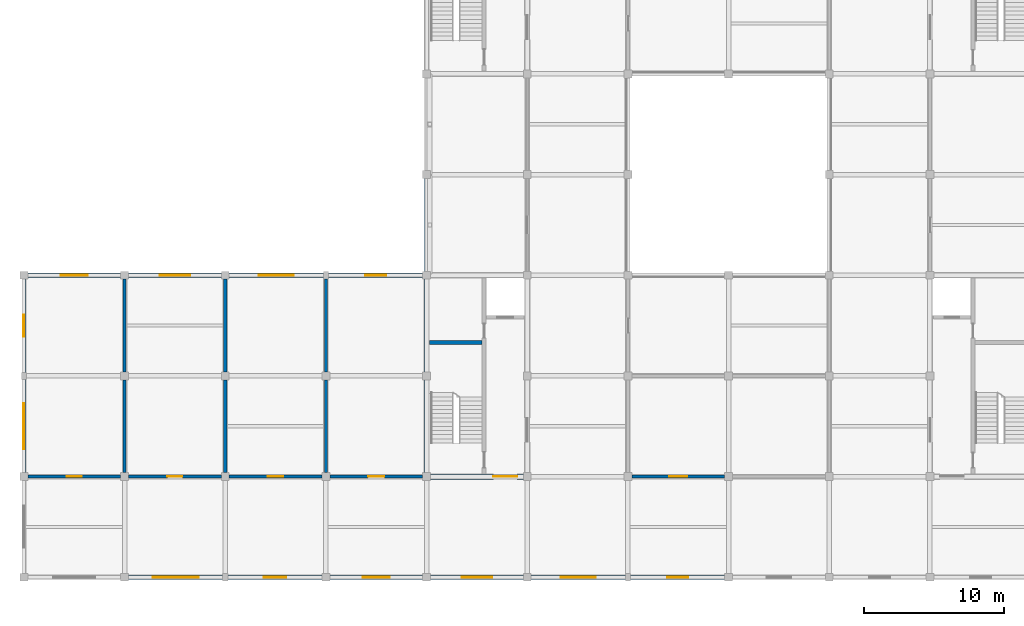
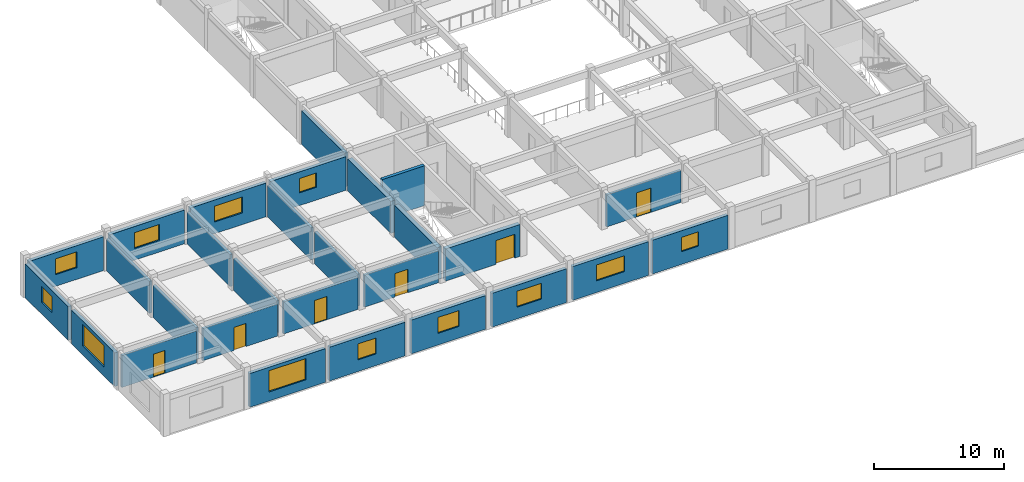
# One storey, part 4 of 8: 28 walls, 12 windows, 6 doors, 18 openings.
"""IFC4 building model written with IfcOpenShell, lengths in metres."""

from ifc_helpers import new_model, si_unit, direction, frame, frame_2d, origin, place, context, subcontext, project, spatial, rectangle, extrude, material, layer, layer_set, type_object, element, fill, save


model = new_model("IFC4")

# Units and contexts
model_context = context("Model", 3, precision=1e-05, world=origin(), true_north=direction((0.0, 1.0)))
body_context = subcontext(model_context, "Body", "Model", "MODEL_VIEW")
ifc_project = project(units=[si_unit("LENGTHUNIT", "METRE"), si_unit("AREAUNIT", "SQUARE_METRE"), si_unit("VOLUMEUNIT", "CUBIC_METRE"), si_unit("PLANEANGLEUNIT", "RADIAN"), si_unit("MASSUNIT", "GRAM", prefix="KILO")], contexts=[model_context])

# Site, building, storey
site_placement = place(None, origin())
site = spatial("IfcSite", under=ifc_project, at=site_placement, CompositionType="ELEMENT")
building_placement = place(site_placement, origin())
building = spatial("IfcBuilding", under=site, at=building_placement, Name="Cendaluz Park School", CompositionType="ELEMENT")
storey_placement = place(building_placement, frame((0.0, 0.0, 42.800048828125)))
storey = spatial("IfcBuildingStorey", under=building, at=storey_placement, Name="L10", CompositionType="ELEMENT", Elevation=42.800048828125)

# Wall, opening, door
ifc_material_1 = material(Name="Gypsum Plasterboard on Cold-Formed Stud", Category="gypsum")
ifc_layer_1 = layer(ifc_material_1, 0.199951171875)
ifc_layer_set_1 = layer_set([ifc_layer_1], Name="Gypsum Plasterboard on Cold-Formed Stud")
wall_type_1 = type_object("IfcWallType", Name="W-AC20", PredefinedType="PARTITIONING", material=ifc_layer_set_1)
wall_1_placement = place(storey_placement, frame((57.8798828125, 14.39990234375, 0.0), z_axis=(0.0, 0.0, 1.0), x_axis=(1.0, 0.0, 0.0)))
wall_1 = element("IfcWall", 1, at=wall_1_placement, inside=storey, type_object=wall_type_1, Name="WL-FK-BN2", PredefinedType="PARTITIONING", context=body_context, shape_type="SweptSolid", body=[
    extrude(rectangle(XDim=6.64013671875, YDim=0.199951171875, at=frame_2d((3.320068359375, 0.0))), origin(), (0.0, 0.0, 1.0), 3.02001953125),
])
opening_1_placement = place(wall_1_placement, frame((2.739990234375, 0.0, 0.0)))
opening_1 = element("IfcOpeningElement", 2, at=opening_1_placement, cuts=wall_1, Name="Opening DCL-07", PredefinedType="OPENING", context=body_context, shape_type="SweptSolid", body=[
    extrude(rectangle(XDim=1.159912109375, YDim=2.219970703125, at=frame_2d((0.580078125, 1.10986328125))), frame((0.0, 0.112060546875, 0.0), z_axis=(0.0, -1.0, 0.0), x_axis=(1.0, 0.0, 0.0)), (0.0, 0.0, 1.0), 0.223876953125),
])
ifc_material_2 = material(Name="Solid Core Hardwood", Category="wood")
door_type_1 = type_object("IfcDoorType", Name="DCL-07", OperationType="NOTDEFINED", PredefinedType="DOOR", material=ifc_material_2)
door_1_placement = place(opening_1_placement, origin())
door_1 = element("IfcDoor", 3, at=door_1_placement, inside=storey, type_object=door_type_1, Name="D-L10-024", OperationType="SINGLE_SWING_RIGHT", OverallHeight=2.219970703125, OverallWidth=1.159912109375, PredefinedType="DOOR", context=body_context, shape_type="SweptSolid", body=[
    extrude(rectangle(XDim=1.159912109375, YDim=2.219970703125, at=frame_2d((0.580078125, 1.10986328125))), frame((0.0, 0.02490234375, 0.0), z_axis=(0.0, -1.0, 0.0), x_axis=(1.0, 0.0, 0.0)), (0.0, 0.0, 1.0), 0.050048828125),
])
fill(opening_1, door_1)

wall_2_placement = place(storey_placement, frame((79.47998046875, 14.39990234375, 0.0), z_axis=(0.0, 0.0, 1.0), x_axis=(1.0, 0.0, 0.0)))
wall_2 = element("IfcWall", 4, at=wall_2_placement, inside=storey, type_object=wall_type_1, Name="WL-FK-BN6", PredefinedType="PARTITIONING", context=body_context, shape_type="SweptSolid", body=[
    extrude(rectangle(XDim=6.64013671875, YDim=0.199951171875, at=frame_2d((3.320068359375, 0.0))), origin(), (0.0, 0.0, 1.0), 3.02001953125),
])
opening_2_placement = place(wall_2_placement, frame((2.679931640625, 0.0, 0.0)))
opening_2 = element("IfcOpeningElement", 5, at=opening_2_placement, cuts=wall_2, Name="Opening DCL-10", PredefinedType="OPENING", context=body_context, shape_type="SweptSolid", body=[
    extrude(rectangle(XDim=1.280029296875, YDim=2.280029296875, at=frame_2d((0.64013671875, 1.14013671875))), frame((0.0, 0.112060546875, 0.0), z_axis=(0.0, -1.0, 0.0), x_axis=(1.0, 0.0, 0.0)), (0.0, 0.0, 1.0), 0.223876953125),
])
door_type_2 = type_object("IfcDoorType", Name="DCL-10", OperationType="NOTDEFINED", PredefinedType="DOOR", material=ifc_material_2)
door_2_placement = place(opening_2_placement, origin())
door_2 = element("IfcDoor", 6, at=door_2_placement, inside=storey, type_object=door_type_2, Name="D-L10-027", OperationType="SINGLE_SWING_LEFT", OverallHeight=2.280029296875, OverallWidth=1.280029296875, PredefinedType="DOOR", context=body_context, shape_type="SweptSolid", body=[
    extrude(rectangle(XDim=1.280029296875, YDim=2.280029296875, at=frame_2d((0.64013671875, 1.14013671875))), frame((0.0, 0.02490234375, 0.0), z_axis=(0.0, -1.0, 0.0), x_axis=(1.0, 0.0, 0.0)), (0.0, 0.0, 1.0), 0.050048828125),
])
fill(opening_2, door_2)

# Wall, opening, window
ifc_material_3 = material(Name="Cross-laminated timber CLT C24", Category="wood")
ifc_layer_2 = layer(ifc_material_3, 0.300048828125)
ifc_layer_set_2 = layer_set([ifc_layer_2], Name="Cross-laminated timber CLT C24")
wall_type_2 = type_object("IfcWallType", Name="W-EX30", PredefinedType="SOLIDWALL", material=ifc_layer_set_2)
wall_3_placement = place(storey_placement, frame((36.0, 14.679931640625, 0.0), z_axis=(0.0, 0.0, 1.0), x_axis=(0.0, 1.0, 0.0)))
wall_3 = element("IfcWall", 7, at=wall_3_placement, inside=storey, type_object=wall_type_2, Name="WL-FK-AA2", PredefinedType="SOLIDWALL", context=body_context, shape_type="SweptSolid", body=[
    extrude(rectangle(XDim=6.66015625, YDim=0.300048828125, at=frame_2d((3.330078125, 0.0))), origin(), (0.0, 0.0, 1.0), 3.179931640625),
])
opening_3_placement = place(wall_3_placement, frame((1.679931640625, 0.0, 0.85009765625)))
opening_3 = element("IfcOpeningElement", 8, at=opening_3_placement, cuts=wall_3, Name="Opening WN-15", PredefinedType="OPENING", context=body_context, shape_type="SweptSolid", body=[
    extrude(rectangle(XDim=3.300048828125, YDim=2.0, at=frame_2d((1.64990234375, 1.0))), frame((0.0, 0.162109375, 0.0), z_axis=(0.0, -1.0, 0.0), x_axis=(1.0, 0.0, 0.0)), (0.0, 0.0, 1.0), 0.323974609375),
])
ifc_material_4 = material(Name="Tempered Low-E Double Glazing", Category="glass")
window_type_1 = type_object("IfcWindowType", Name="WN-15", PartitioningType="SINGLE_PANEL", PredefinedType="WINDOW", material=ifc_material_4)
window_1_placement = place(opening_3_placement, origin())
window_1 = element("IfcWindow", 9, at=window_1_placement, inside=storey, type_object=window_type_1, Name="WN-L10-003", OverallHeight=2.0, OverallWidth=3.300048828125, PartitioningType="SINGLE_PANEL", PredefinedType="WINDOW", context=body_context, shape_type="SweptSolid", body=[
    extrude(rectangle(XDim=3.300048828125, YDim=2.0, at=frame_2d((1.64990234375, 1.0))), frame((0.0, 0.030029296875, 0.0), z_axis=(0.0, -1.0, 0.0), x_axis=(1.0, 0.0, 0.0)), (0.0, 0.0, 1.0), 0.06005859375),
])
fill(opening_3, window_1)

wall_4_placement = place(storey_placement, frame((36.280029296875, 28.800048828125, 0.0), z_axis=(0.0, 0.0, 1.0), x_axis=(1.0, 0.0, 0.0)))
wall_4 = element("IfcWall", 10, at=wall_4_placement, inside=storey, type_object=wall_type_2, Name="WL-FK-AA3", PredefinedType="SOLIDWALL", context=body_context, shape_type="SweptSolid", body=[
    extrude(rectangle(XDim=6.639892578125, YDim=0.300048828125, at=frame_2d((3.31982421875, 0.0))), origin(), (0.0, 0.0, 1.0), 3.179931640625),
])
opening_4_placement = place(wall_4_placement, frame((2.3701171875, 0.0, 1.10009765625)))
opening_4 = element("IfcOpeningElement", 11, at=opening_4_placement, cuts=wall_4, Name="Opening WN-17", PredefinedType="OPENING", context=body_context, shape_type="SweptSolid", body=[
    extrude(rectangle(XDim=1.89990234375, YDim=1.5, at=frame_2d((0.949951171875, 0.75))), frame((0.0, 0.162109375, 0.0), z_axis=(0.0, -1.0, 0.0), x_axis=(1.0, 0.0, 0.0)), (0.0, 0.0, 1.0), 0.323974609375),
])
window_type_2 = type_object("IfcWindowType", Name="WN-17", PartitioningType="SINGLE_PANEL", PredefinedType="WINDOW", material=ifc_material_4)
window_2_placement = place(opening_4_placement, origin())
window_2 = element("IfcWindow", 12, at=window_2_placement, inside=storey, type_object=window_type_2, Name="WN-L10-004", OverallHeight=1.5, OverallWidth=1.89990234375, PartitioningType="SINGLE_PANEL", PredefinedType="WINDOW", context=body_context, shape_type="SweptSolid", body=[
    extrude(rectangle(XDim=1.89990234375, YDim=1.5, at=frame_2d((0.949951171875, 0.75))), frame((0.0, 0.030029296875, 0.0), z_axis=(0.0, -1.0, 0.0), x_axis=(1.0, 0.0, 0.0)), (0.0, 0.0, 1.0), 0.06005859375),
])
fill(opening_4, window_2)

wall_5_placement = place(storey_placement, frame((36.0, 21.860107421875, 0.0), z_axis=(0.0, 0.0, 1.0), x_axis=(0.0, 1.0, 0.0)))
wall_5 = element("IfcWall", 13, at=wall_5_placement, inside=storey, type_object=wall_type_2, Name="WL-FK-AA4", PredefinedType="SOLIDWALL", context=body_context, shape_type="SweptSolid", body=[
    extrude(rectangle(XDim=6.659912109375, YDim=0.300048828125, at=frame_2d((3.330078125, 0.0))), origin(), (0.0, 0.0, 1.0), 3.179931640625),
])
opening_5_placement = place(wall_5_placement, frame((2.530029296875, 0.0, 1.10009765625)))
opening_5 = element("IfcOpeningElement", 14, at=opening_5_placement, cuts=wall_5, Name="Opening WN-16", PredefinedType="OPENING", context=body_context, shape_type="SweptSolid", body=[
    extrude(rectangle(XDim=1.60009765625, YDim=1.5, at=frame_2d((0.800048828125, 0.75))), frame((0.0, 0.162109375, 0.0), z_axis=(0.0, -1.0, 0.0), x_axis=(1.0, 0.0, 0.0)), (0.0, 0.0, 1.0), 0.323974609375),
])
window_type_3 = type_object("IfcWindowType", Name="WN-16", PartitioningType="SINGLE_PANEL", PredefinedType="WINDOW", material=ifc_material_4)
window_3_placement = place(opening_5_placement, origin())
window_3 = element("IfcWindow", 15, at=window_3_placement, inside=storey, type_object=window_type_3, Name="WN-L10-005", OverallHeight=1.5, OverallWidth=1.60009765625, PartitioningType="SINGLE_PANEL", PredefinedType="WINDOW", context=body_context, shape_type="SweptSolid", body=[
    extrude(rectangle(XDim=1.60009765625, YDim=1.5, at=frame_2d((0.800048828125, 0.75))), frame((0.0, 0.030029296875, 0.0), z_axis=(0.0, -1.0, 0.0), x_axis=(1.0, 0.0, 0.0)), (0.0, 0.0, 1.0), 0.06005859375),
])
fill(opening_5, window_3)

wall_6_placement = place(storey_placement, frame((43.47998046875, 7.199951171875, 0.0), z_axis=(0.0, 0.0, 1.0), x_axis=(1.0, 0.0, 0.0)))
wall_6 = element("IfcWall", 16, at=wall_6_placement, inside=storey, type_object=wall_type_2, Name="WL-FK-AA5", PredefinedType="SOLIDWALL", context=body_context, shape_type="SweptSolid", body=[
    extrude(rectangle(XDim=6.739990234375, YDim=0.300048828125, at=frame_2d((3.3701171875, 0.0))), origin(), (0.0, 0.0, 1.0), 3.179931640625),
])
opening_6_placement = place(wall_6_placement, frame((1.719970703125, 0.0, 0.85009765625)))
opening_6 = element("IfcOpeningElement", 17, at=opening_6_placement, cuts=wall_6, Name="Opening WN-15", PredefinedType="OPENING", context=body_context, shape_type="SweptSolid", body=[
    extrude(rectangle(XDim=3.300048828125, YDim=2.0, at=frame_2d((1.64990234375, 1.0))), frame((0.0, 0.162109375, 0.0), z_axis=(0.0, -1.0, 0.0), x_axis=(1.0, 0.0, 0.0)), (0.0, 0.0, 1.0), 0.323974609375),
])
window_4_placement = place(opening_6_placement, origin())
window_4 = element("IfcWindow", 18, at=window_4_placement, inside=storey, type_object=window_type_1, Name="WN-L10-006", OverallHeight=2.0, OverallWidth=3.300048828125, PartitioningType="SINGLE_PANEL", PredefinedType="WINDOW", context=body_context, shape_type="SweptSolid", body=[
    extrude(rectangle(XDim=3.300048828125, YDim=2.0, at=frame_2d((1.64990234375, 1.0))), frame((0.0, 0.030029296875, 0.0), z_axis=(0.0, -1.0, 0.0), x_axis=(1.0, 0.0, 0.0)), (0.0, 0.0, 1.0), 0.06005859375),
])
fill(opening_6, window_4)

wall_7_placement = place(storey_placement, frame((43.47998046875, 28.800048828125, 0.0), z_axis=(0.0, 0.0, 1.0), x_axis=(1.0, 0.0, 0.0)))
wall_7 = element("IfcWall", 19, at=wall_7_placement, inside=storey, type_object=wall_type_2, Name="WL-FK-AA6", PredefinedType="SOLIDWALL", context=body_context, shape_type="SweptSolid", body=[
    extrude(rectangle(XDim=6.64013671875, YDim=0.300048828125, at=frame_2d((3.320068359375, 0.0))), origin(), (0.0, 0.0, 1.0), 3.179931640625),
])
opening_7_placement = place(wall_7_placement, frame((2.219970703125, 0.0, 1.10009765625)))
opening_7 = element("IfcOpeningElement", 20, at=opening_7_placement, cuts=wall_7, Name="Opening WN-18", PredefinedType="OPENING", context=body_context, shape_type="SweptSolid", body=[
    extrude(rectangle(XDim=2.199951171875, YDim=1.5, at=frame_2d((1.10009765625, 0.75))), frame((0.0, 0.162109375, 0.0), z_axis=(0.0, -1.0, 0.0), x_axis=(1.0, 0.0, 0.0)), (0.0, 0.0, 1.0), 0.323974609375),
])
window_type_4 = type_object("IfcWindowType", Name="WN-18", PartitioningType="SINGLE_PANEL", PredefinedType="WINDOW", material=ifc_material_4)
window_5_placement = place(opening_7_placement, origin())
window_5 = element("IfcWindow", 21, at=window_5_placement, inside=storey, type_object=window_type_4, Name="WN-L10-007", OverallHeight=1.5, OverallWidth=2.199951171875, PartitioningType="SINGLE_PANEL", PredefinedType="WINDOW", context=body_context, shape_type="SweptSolid", body=[
    extrude(rectangle(XDim=2.199951171875, YDim=1.5, at=frame_2d((1.10009765625, 0.75))), frame((0.0, 0.030029296875, 0.0), z_axis=(0.0, -1.0, 0.0), x_axis=(1.0, 0.0, 0.0)), (0.0, 0.0, 1.0), 0.06005859375),
])
fill(opening_7, window_5)

wall_8_placement = place(storey_placement, frame((50.580078125, 7.199951171875, 0.0), z_axis=(0.0, 0.0, 1.0), x_axis=(1.0, 0.0, 0.0)))
wall_8 = element("IfcWall", 22, at=wall_8_placement, inside=storey, type_object=wall_type_2, Name="WL-FK-AA7", PredefinedType="SOLIDWALL", context=body_context, shape_type="SweptSolid", body=[
    extrude(rectangle(XDim=6.739990234375, YDim=0.300048828125, at=frame_2d((3.3701171875, 0.0))), origin(), (0.0, 0.0, 1.0), 3.179931640625),
])
opening_8_placement = place(wall_8_placement, frame((2.570068359375, 0.0, 1.10009765625)))
opening_8 = element("IfcOpeningElement", 23, at=opening_8_placement, cuts=wall_8, Name="Opening WN-16", PredefinedType="OPENING", context=body_context, shape_type="SweptSolid", body=[
    extrude(rectangle(XDim=1.60009765625, YDim=1.5, at=frame_2d((0.800048828125, 0.75))), frame((0.0, 0.162109375, 0.0), z_axis=(0.0, -1.0, 0.0), x_axis=(1.0, 0.0, 0.0)), (0.0, 0.0, 1.0), 0.323974609375),
])
window_6_placement = place(opening_8_placement, origin())
window_6 = element("IfcWindow", 24, at=window_6_placement, inside=storey, type_object=window_type_3, Name="WN-L10-008", OverallHeight=1.5, OverallWidth=1.60009765625, PartitioningType="SINGLE_PANEL", PredefinedType="WINDOW", context=body_context, shape_type="SweptSolid", body=[
    extrude(rectangle(XDim=1.60009765625, YDim=1.5, at=frame_2d((0.800048828125, 0.75))), frame((0.0, 0.030029296875, 0.0), z_axis=(0.0, -1.0, 0.0), x_axis=(1.0, 0.0, 0.0)), (0.0, 0.0, 1.0), 0.06005859375),
])
fill(opening_8, window_6)

wall_9_placement = place(storey_placement, frame((50.679931640625, 28.800048828125, 0.0), z_axis=(0.0, 0.0, 1.0), x_axis=(1.0, 0.0, 0.0)))
wall_9 = element("IfcWall", 25, at=wall_9_placement, inside=storey, type_object=wall_type_2, Name="WL-FK-AA8", PredefinedType="SOLIDWALL", context=body_context, shape_type="SweptSolid", body=[
    extrude(rectangle(XDim=6.739990234375, YDim=0.300048828125, at=frame_2d((3.3701171875, 0.0))), origin(), (0.0, 0.0, 1.0), 3.179931640625),
])
opening_9_placement = place(wall_9_placement, frame((2.1201171875, 0.0, 1.10009765625)))
opening_9 = element("IfcOpeningElement", 26, at=opening_9_placement, cuts=wall_9, Name="Opening WN-19", PredefinedType="OPENING", context=body_context, shape_type="SweptSolid", body=[
    extrude(rectangle(XDim=2.5, YDim=1.5, at=frame_2d((1.25, 0.75))), frame((0.0, 0.162109375, 0.0), z_axis=(0.0, -1.0, 0.0), x_axis=(1.0, 0.0, 0.0)), (0.0, 0.0, 1.0), 0.323974609375),
])
window_type_5 = type_object("IfcWindowType", Name="WN-19", PartitioningType="SINGLE_PANEL", PredefinedType="WINDOW", material=ifc_material_4)
window_7_placement = place(opening_9_placement, origin())
window_7 = element("IfcWindow", 27, at=window_7_placement, inside=storey, type_object=window_type_5, Name="WN-L10-009", OverallHeight=1.5, OverallWidth=2.5, PartitioningType="SINGLE_PANEL", PredefinedType="WINDOW", context=body_context, shape_type="SweptSolid", body=[
    extrude(rectangle(XDim=2.5, YDim=1.5, at=frame_2d((1.25, 0.75))), frame((0.0, 0.030029296875, 0.0), z_axis=(0.0, -1.0, 0.0), x_axis=(1.0, 0.0, 0.0)), (0.0, 0.0, 1.0), 0.06005859375),
])
fill(opening_9, window_7)

wall_10_placement = place(storey_placement, frame((57.8798828125, 7.199951171875, 0.0), z_axis=(0.0, 0.0, 1.0), x_axis=(1.0, 0.0, 0.0)))
wall_10 = element("IfcWall", 28, at=wall_10_placement, inside=storey, type_object=wall_type_2, Name="WL-FK-AA9", PredefinedType="SOLIDWALL", context=body_context, shape_type="SweptSolid", body=[
    extrude(rectangle(XDim=6.64013671875, YDim=0.300048828125, at=frame_2d((3.320068359375, 0.0))), origin(), (0.0, 0.0, 1.0), 3.179931640625),
])
opening_10_placement = place(wall_10_placement, frame((2.3701171875, 0.0, 1.10009765625)))
opening_10 = element("IfcOpeningElement", 29, at=opening_10_placement, cuts=wall_10, Name="Opening WN-17", PredefinedType="OPENING", context=body_context, shape_type="SweptSolid", body=[
    extrude(rectangle(XDim=1.89990234375, YDim=1.5, at=frame_2d((0.949951171875, 0.75))), frame((0.0, 0.162109375, 0.0), z_axis=(0.0, -1.0, 0.0), x_axis=(1.0, 0.0, 0.0)), (0.0, 0.0, 1.0), 0.323974609375),
])
window_8_placement = place(opening_10_placement, origin())
window_8 = element("IfcWindow", 30, at=window_8_placement, inside=storey, type_object=window_type_2, Name="WN-L10-010", OverallHeight=1.5, OverallWidth=1.89990234375, PartitioningType="SINGLE_PANEL", PredefinedType="WINDOW", context=body_context, shape_type="SweptSolid", body=[
    extrude(rectangle(XDim=1.89990234375, YDim=1.5, at=frame_2d((0.949951171875, 0.75))), frame((0.0, 0.030029296875, 0.0), z_axis=(0.0, -1.0, 0.0), x_axis=(1.0, 0.0, 0.0)), (0.0, 0.0, 1.0), 0.06005859375),
])
fill(opening_10, window_8)

wall_11_placement = place(storey_placement, frame((57.780029296875, 28.800048828125, 0.0), z_axis=(0.0, 0.0, 1.0), x_axis=(1.0, 0.0, 0.0)))
wall_11 = element("IfcWall", 31, at=wall_11_placement, inside=storey, type_object=wall_type_2, Name="WL-FK-AB0", PredefinedType="SOLIDWALL", context=body_context, shape_type="SweptSolid", body=[
    extrude(rectangle(XDim=6.739990234375, YDim=0.300048828125, at=frame_2d((3.3701171875, 0.0))), origin(), (0.0, 0.0, 1.0), 3.179931640625),
])
opening_11_placement = place(wall_11_placement, frame((2.6201171875, 0.0, 1.199951171875)))
opening_11 = element("IfcOpeningElement", 32, at=opening_11_placement, cuts=wall_11, Name="Opening WN-20", PredefinedType="OPENING", context=body_context, shape_type="SweptSolid", body=[
    extrude(rectangle(XDim=1.5, YDim=1.35009765625, at=frame_2d((0.75, 0.675048828125))), frame((0.0, 0.162109375, 0.0), z_axis=(0.0, -1.0, 0.0), x_axis=(1.0, 0.0, 0.0)), (0.0, 0.0, 1.0), 0.323974609375),
])
window_type_6 = type_object("IfcWindowType", Name="WN-20", PartitioningType="SINGLE_PANEL", PredefinedType="WINDOW", material=ifc_material_4)
window_9_placement = place(opening_11_placement, origin())
window_9 = element("IfcWindow", 33, at=window_9_placement, inside=storey, type_object=window_type_6, Name="WN-L10-011", OverallHeight=1.35009765625, OverallWidth=1.5, PartitioningType="SINGLE_PANEL", PredefinedType="WINDOW", context=body_context, shape_type="SweptSolid", body=[
    extrude(rectangle(XDim=1.5, YDim=1.35009765625, at=frame_2d((0.75, 0.675048828125))), frame((0.0, 0.030029296875, 0.0), z_axis=(0.0, -1.0, 0.0), x_axis=(1.0, 0.0, 0.0)), (0.0, 0.0, 1.0), 0.06005859375),
])
fill(opening_11, window_9)

wall_12_placement = place(storey_placement, frame((65.080078125, 7.199951171875, 0.0), z_axis=(0.0, 0.0, 1.0), x_axis=(1.0, 0.0, 0.0)))
wall_12 = element("IfcWall", 34, at=wall_12_placement, inside=storey, type_object=wall_type_2, Name="WL-FK-AB1", PredefinedType="SOLIDWALL", context=body_context, shape_type="SweptSolid", body=[
    extrude(rectangle(XDim=6.639892578125, YDim=0.300048828125, at=frame_2d((3.31982421875, 0.0))), origin(), (0.0, 0.0, 1.0), 3.179931640625),
])
opening_12_placement = place(wall_12_placement, frame((2.219970703125, 0.0, 1.10009765625)))
opening_12 = element("IfcOpeningElement", 35, at=opening_12_placement, cuts=wall_12, Name="Opening WN-18", PredefinedType="OPENING", context=body_context, shape_type="SweptSolid", body=[
    extrude(rectangle(XDim=2.199951171875, YDim=1.5, at=frame_2d((1.10009765625, 0.75))), frame((0.0, 0.162109375, 0.0), z_axis=(0.0, -1.0, 0.0), x_axis=(1.0, 0.0, 0.0)), (0.0, 0.0, 1.0), 0.323974609375),
])
window_10_placement = place(opening_12_placement, origin())
window_10 = element("IfcWindow", 36, at=window_10_placement, inside=storey, type_object=window_type_4, Name="WN-L10-012", OverallHeight=1.5, OverallWidth=2.199951171875, PartitioningType="SINGLE_PANEL", PredefinedType="WINDOW", context=body_context, shape_type="SweptSolid", body=[
    extrude(rectangle(XDim=2.199951171875, YDim=1.5, at=frame_2d((1.10009765625, 0.75))), frame((0.0, 0.030029296875, 0.0), z_axis=(0.0, -1.0, 0.0), x_axis=(1.0, 0.0, 0.0)), (0.0, 0.0, 1.0), 0.06005859375),
])
fill(opening_12, window_10)

# Wall
wall_13_placement = place(storey_placement, frame((64.800048828125, 29.080078125, 0.0), z_axis=(0.0, 0.0, 1.0), x_axis=(0.0, 1.0, 0.0)))
element("IfcWall", 37, at=wall_13_placement, inside=storey, type_object=wall_type_2, Name="WL-FK-AB2", PredefinedType="SOLIDWALL", context=body_context, shape_type="SweptSolid", body=[
    extrude(rectangle(XDim=6.639892578125, YDim=0.300048828125, at=frame_2d((3.31982421875, 0.0))), origin(), (0.0, 0.0, 1.0), 3.179931640625),
])

# Wall, opening, window
wall_14_placement = place(storey_placement, frame((72.280029296875, 7.199951171875, 0.0), z_axis=(0.0, 0.0, 1.0), x_axis=(1.0, 0.0, 0.0)))
wall_14 = element("IfcWall", 38, at=wall_14_placement, inside=storey, type_object=wall_type_2, Name="WL-FK-AB6", PredefinedType="SOLIDWALL", context=body_context, shape_type="SweptSolid", body=[
    extrude(rectangle(XDim=6.739990234375, YDim=0.300048828125, at=frame_2d((3.3701171875, 0.0))), origin(), (0.0, 0.0, 1.0), 3.179931640625),
])
opening_13_placement = place(wall_14_placement, frame((2.1201171875, 0.0, 1.10009765625)))
opening_13 = element("IfcOpeningElement", 39, at=opening_13_placement, cuts=wall_14, Name="Opening WN-19", PredefinedType="OPENING", context=body_context, shape_type="SweptSolid", body=[
    extrude(rectangle(XDim=2.5, YDim=1.5, at=frame_2d((1.25, 0.75))), frame((0.0, 0.162109375, 0.0), z_axis=(0.0, -1.0, 0.0), x_axis=(1.0, 0.0, 0.0)), (0.0, 0.0, 1.0), 0.323974609375),
])
window_11_placement = place(opening_13_placement, origin())
window_11 = element("IfcWindow", 40, at=window_11_placement, inside=storey, type_object=window_type_5, Name="WN-L10-015", OverallHeight=1.5, OverallWidth=2.5, PartitioningType="SINGLE_PANEL", PredefinedType="WINDOW", context=body_context, shape_type="SweptSolid", body=[
    extrude(rectangle(XDim=2.5, YDim=1.5, at=frame_2d((1.25, 0.75))), frame((0.0, 0.030029296875, 0.0), z_axis=(0.0, -1.0, 0.0), x_axis=(1.0, 0.0, 0.0)), (0.0, 0.0, 1.0), 0.06005859375),
])
fill(opening_13, window_11)

wall_15_placement = place(storey_placement, frame((79.3798828125, 7.199951171875, 0.0), z_axis=(0.0, 0.0, 1.0), x_axis=(1.0, 0.0, 0.0)))
wall_15 = element("IfcWall", 41, at=wall_15_placement, inside=storey, type_object=wall_type_2, Name="WL-FK-AB8", PredefinedType="SOLIDWALL", context=body_context, shape_type="SweptSolid", body=[
    extrude(rectangle(XDim=6.740234375, YDim=0.300048828125, at=frame_2d((3.3701171875, 0.0))), origin(), (0.0, 0.0, 1.0), 3.179931640625),
])
opening_14_placement = place(wall_15_placement, frame((2.6201171875, 0.0, 1.199951171875)))
opening_14 = element("IfcOpeningElement", 42, at=opening_14_placement, cuts=wall_15, Name="Opening WN-20", PredefinedType="OPENING", context=body_context, shape_type="SweptSolid", body=[
    extrude(rectangle(XDim=1.5, YDim=1.35009765625, at=frame_2d((0.75, 0.675048828125))), frame((0.0, 0.162109375, 0.0), z_axis=(0.0, -1.0, 0.0), x_axis=(1.0, 0.0, 0.0)), (0.0, 0.0, 1.0), 0.323974609375),
])
window_12_placement = place(opening_14_placement, origin())
window_12 = element("IfcWindow", 43, at=window_12_placement, inside=storey, type_object=window_type_6, Name="WN-L10-017", OverallHeight=1.35009765625, OverallWidth=1.5, PartitioningType="SINGLE_PANEL", PredefinedType="WINDOW", context=body_context, shape_type="SweptSolid", body=[
    extrude(rectangle(XDim=1.5, YDim=1.35009765625, at=frame_2d((0.75, 0.675048828125))), frame((0.0, 0.030029296875, 0.0), z_axis=(0.0, -1.0, 0.0), x_axis=(1.0, 0.0, 0.0)), (0.0, 0.0, 1.0), 0.06005859375),
])
fill(opening_14, window_12)

# Wall
ifc_material_5 = material(Name="Concrete C40/50", Category="concrete")
ifc_layer_3 = layer(ifc_material_5, 0.280029296875)
ifc_layer_set_3 = layer_set([ifc_layer_3], Name="Concrete C40/50")
wall_type_3 = type_object("IfcWallType", Name="W-FW28", PredefinedType="SHEAR", material=ifc_layer_set_3)
wall_16_placement = place(storey_placement, frame((65.0, 23.97998046875, 0.0), z_axis=(0.0, 0.0, 1.0), x_axis=(1.0, 0.0, 0.0)))
element("IfcWall", 44, at=wall_16_placement, inside=storey, type_object=wall_type_3, Name="WL-FK-BI6", PredefinedType="SHEAR", context=body_context, shape_type="SweptSolid", body=[
    extrude(rectangle(XDim=3.780029296875, YDim=0.280029296875, at=frame_2d((1.89013671875, 0.0))), origin(), (0.0, 0.0, 1.0), 3.75),
])

# Wall, opening, door
ifc_layer_4 = layer(ifc_material_1, 0.219970703125)
ifc_layer_set_4 = layer_set([ifc_layer_4], Name="Gypsum Plasterboard on Cold-Formed Stud")
wall_type_4 = type_object("IfcWallType", Name="W-LB22", PredefinedType="PARTITIONING", material=ifc_layer_set_4)
wall_17_placement = place(storey_placement, frame((36.280029296875, 14.39990234375, 0.0), z_axis=(0.0, 0.0, 1.0), x_axis=(1.0, 0.0, 0.0)))
wall_17 = element("IfcWall", 45, at=wall_17_placement, inside=storey, type_object=wall_type_4, Name="WL-FK-BM3", PredefinedType="PARTITIONING", context=body_context, shape_type="SweptSolid", body=[
    extrude(rectangle(XDim=6.639892578125, YDim=0.219970703125, at=frame_2d((3.31982421875, 0.0))), origin(), (0.0, 0.0, 1.0), 3.02001953125),
])
opening_15_placement = place(wall_17_placement, frame((2.7900390625, 0.0, 0.0)))
opening_15 = element("IfcOpeningElement", 46, at=opening_15_placement, cuts=wall_17, Name="Opening DCL-04", PredefinedType="OPENING", context=body_context, shape_type="SweptSolid", body=[
    extrude(rectangle(XDim=1.06005859375, YDim=2.159912109375, at=frame_2d((0.530029296875, 1.080078125))), frame((0.0, 0.1220703125, 0.0), z_axis=(0.0, -1.0, 0.0), x_axis=(1.0, 0.0, 0.0)), (0.0, 0.0, 1.0), 0.243896484375),
])
door_type_3 = type_object("IfcDoorType", Name="DCL-04", OperationType="NOTDEFINED", PredefinedType="DOOR", material=ifc_material_2)
door_3_placement = place(opening_15_placement, frame((1.06005859375, 0.0, 0.0), z_axis=(0.0, 0.0, 1.0), x_axis=(-1.0, 0.0, 0.0)))
door_3 = element("IfcDoor", 47, at=door_3_placement, inside=storey, type_object=door_type_3, Name="D-L10-021", OperationType="SINGLE_SWING_LEFT", OverallHeight=2.159912109375, OverallWidth=1.06005859375, PredefinedType="DOOR", context=body_context, shape_type="SweptSolid", body=[
    extrude(rectangle(XDim=1.06005859375, YDim=2.159912109375, at=frame_2d((0.530029296875, 1.080078125))), frame((0.0, 0.02490234375, 0.0), z_axis=(0.0, -1.0, 0.0), x_axis=(1.0, 0.0, 0.0)), (0.0, 0.0, 1.0), 0.050048828125),
])
fill(opening_15, door_3)

# Walls
for number, where, z_axis, x_axis, name in (
    (48, (43.199951171875, 14.679931640625, 0.0), (0.0, 0.0, 1.0), (0.0, 1.0, 0.0), "WL-FK-BM4"),
    (49, (43.199951171875, 21.8798828125, 0.0), (0.0, 0.0, 1.0), (0.0, 1.0, 0.0), "WL-FK-BM5"),
):
    element("IfcWall", number, at=place(storey_placement, frame(where, z_axis=z_axis, x_axis=x_axis)), inside=storey, type_object=wall_type_4, Name=name, PredefinedType="PARTITIONING", context=body_context, shape_type="SweptSolid", body=[
        extrude(rectangle(XDim=6.64013671875, YDim=0.219970703125, at=frame_2d((3.320068359375, 0.0))), origin(), (0.0, 0.0, 1.0), 3.02001953125),
    ])

# Wall, opening, door
wall_18_placement = place(storey_placement, frame((43.47998046875, 14.39990234375, 0.0), z_axis=(0.0, 0.0, 1.0), x_axis=(1.0, 0.0, 0.0)))
wall_18 = element("IfcWall", 50, at=wall_18_placement, inside=storey, type_object=wall_type_4, Name="WL-FK-BM6", PredefinedType="PARTITIONING", context=body_context, shape_type="SweptSolid", body=[
    extrude(rectangle(XDim=6.64013671875, YDim=0.219970703125, at=frame_2d((3.320068359375, 0.0))), origin(), (0.0, 0.0, 1.0), 3.02001953125),
])
opening_16_placement = place(wall_18_placement, frame((2.780029296875, 0.0, 0.0)))
opening_16 = element("IfcOpeningElement", 51, at=opening_16_placement, cuts=wall_18, Name="Opening DCL-05", PredefinedType="OPENING", context=body_context, shape_type="SweptSolid", body=[
    extrude(rectangle(XDim=1.080078125, YDim=2.179931640625, at=frame_2d((0.5400390625, 1.08984375))), frame((0.0, 0.1220703125, 0.0), z_axis=(0.0, -1.0, 0.0), x_axis=(1.0, 0.0, 0.0)), (0.0, 0.0, 1.0), 0.243896484375),
])
door_type_4 = type_object("IfcDoorType", Name="DCL-05", OperationType="NOTDEFINED", PredefinedType="DOOR", material=ifc_material_2)
door_4_placement = place(opening_16_placement, frame((1.080078125, 0.0, 0.0), z_axis=(0.0, 0.0, 1.0), x_axis=(-1.0, 0.0, 0.0)))
door_4 = element("IfcDoor", 52, at=door_4_placement, inside=storey, type_object=door_type_4, Name="D-L10-022", OperationType="SINGLE_SWING_RIGHT", OverallHeight=2.179931640625, OverallWidth=1.080078125, PredefinedType="DOOR", context=body_context, shape_type="SweptSolid", body=[
    extrude(rectangle(XDim=1.080078125, YDim=2.179931640625, at=frame_2d((0.5400390625, 1.08984375))), frame((0.0, 0.02490234375, 0.0), z_axis=(0.0, -1.0, 0.0), x_axis=(1.0, 0.0, 0.0)), (0.0, 0.0, 1.0), 0.050048828125),
])
fill(opening_16, door_4)

# Walls
for number, where, z_axis, x_axis, name in (
    (53, (50.39990234375, 14.679931640625, 0.0), (0.0, 0.0, 1.0), (0.0, 1.0, 0.0), "WL-FK-BM7"),
    (54, (50.39990234375, 21.8798828125, 0.0), (0.0, 0.0, 1.0), (0.0, 1.0, 0.0), "WL-FK-BM8"),
):
    element("IfcWall", number, at=place(storey_placement, frame(where, z_axis=z_axis, x_axis=x_axis)), inside=storey, type_object=wall_type_4, Name=name, PredefinedType="PARTITIONING", context=body_context, shape_type="SweptSolid", body=[
        extrude(rectangle(XDim=6.64013671875, YDim=0.219970703125, at=frame_2d((3.320068359375, 0.0))), origin(), (0.0, 0.0, 1.0), 3.02001953125),
    ])

# Wall, opening, door
wall_19_placement = place(storey_placement, frame((50.679931640625, 14.39990234375, 0.0), z_axis=(0.0, 0.0, 1.0), x_axis=(1.0, 0.0, 0.0)))
wall_19 = element("IfcWall", 55, at=wall_19_placement, inside=storey, type_object=wall_type_4, Name="WL-FK-BM9", PredefinedType="PARTITIONING", context=body_context, shape_type="SweptSolid", body=[
    extrude(rectangle(XDim=6.64013671875, YDim=0.219970703125, at=frame_2d((3.320068359375, 0.0))), origin(), (0.0, 0.0, 1.0), 3.02001953125),
])
opening_17_placement = place(wall_19_placement, frame((2.760009765625, 0.0, 0.0)))
opening_17 = element("IfcOpeningElement", 56, at=opening_17_placement, cuts=wall_19, Name="Opening DCL-06", PredefinedType="OPENING", context=body_context, shape_type="SweptSolid", body=[
    extrude(rectangle(XDim=1.1201171875, YDim=2.199951171875, at=frame_2d((0.56005859375, 1.10009765625))), frame((0.0, 0.1220703125, 0.0), z_axis=(0.0, -1.0, 0.0), x_axis=(1.0, 0.0, 0.0)), (0.0, 0.0, 1.0), 0.243896484375),
])
door_type_5 = type_object("IfcDoorType", Name="DCL-06", OperationType="NOTDEFINED", PredefinedType="DOOR", material=ifc_material_2)
door_5_placement = place(opening_17_placement, frame((1.1201171875, 0.0, 0.0), z_axis=(0.0, 0.0, 1.0), x_axis=(-1.0, 0.0, 0.0)))
door_5 = element("IfcDoor", 57, at=door_5_placement, inside=storey, type_object=door_type_5, Name="D-L10-023", OperationType="SINGLE_SWING_LEFT", OverallHeight=2.199951171875, OverallWidth=1.1201171875, PredefinedType="DOOR", context=body_context, shape_type="SweptSolid", body=[
    extrude(rectangle(XDim=1.1201171875, YDim=2.199951171875, at=frame_2d((0.56005859375, 1.10009765625))), frame((0.0, 0.02490234375, 0.0), z_axis=(0.0, -1.0, 0.0), x_axis=(1.0, 0.0, 0.0)), (0.0, 0.0, 1.0), 0.050048828125),
])
fill(opening_17, door_5)

# Walls
wall_20_placement = place(storey_placement, frame((57.60009765625, 14.679931640625, 0.0), z_axis=(0.0, 0.0, 1.0), x_axis=(0.0, 1.0, 0.0)))
element("IfcWall", 58, at=wall_20_placement, inside=storey, type_object=wall_type_4, Name="WL-FK-BN0", PredefinedType="PARTITIONING", context=body_context, shape_type="SweptSolid", body=[
    extrude(rectangle(XDim=6.64013671875, YDim=0.219970703125, at=frame_2d((3.320068359375, 0.0))), origin(), (0.0, 0.0, 1.0), 3.02001953125),
])
wall_21_placement = place(storey_placement, frame((57.60009765625, 21.8798828125, 0.0), z_axis=(0.0, 0.0, 1.0), x_axis=(0.0, 1.0, 0.0)))
element("IfcWall", 59, at=wall_21_placement, inside=storey, type_object=wall_type_4, Name="WL-FK-BN1", PredefinedType="PARTITIONING", context=body_context, shape_type="SweptSolid", body=[
    extrude(rectangle(XDim=6.66015625, YDim=0.219970703125, at=frame_2d((3.330078125, 0.0))), origin(), (0.0, 0.0, 1.0), 3.02001953125),
])
ifc_layer_5 = layer(ifc_material_5, 0.3798828125)
ifc_layer_set_5 = layer_set([ifc_layer_5], Name="Concrete C40/50")
wall_type_5 = type_object("IfcWallType", Name="W-SH38", PredefinedType="SHEAR", material=ifc_layer_set_5)
for number, where, z_axis, x_axis, name in (
    (60, (64.800048828125, 14.679931640625, 0.0), (0.0, 0.0, 1.0), (0.0, 1.0, 0.0), "WL-FK-BH9"),
    (61, (64.800048828125, 21.8798828125, 0.0), (0.0, 0.0, 1.0), (0.0, 1.0, 0.0), "WL-FK-BI0"),
):
    element("IfcWall", number, at=place(storey_placement, frame(where, z_axis=z_axis, x_axis=x_axis)), inside=storey, type_object=wall_type_5, Name=name, PredefinedType="SHEAR", context=body_context, shape_type="SweptSolid", body=[
        extrude(rectangle(XDim=6.64013671875, YDim=0.3798828125, at=frame_2d((3.320068359375, 0.0))), origin(), (0.0, 0.0, 1.0), 3.02001953125),
    ])

# Wall, opening, door
wall_22_placement = place(storey_placement, frame((65.080078125, 14.39990234375, 0.0), z_axis=(0.0, 0.0, 1.0), x_axis=(1.0, 0.0, 0.0)))
wall_22 = element("IfcWall", 62, at=wall_22_placement, inside=storey, type_object=wall_type_5, Name="WL-FK-BI3", PredefinedType="SHEAR", context=body_context, shape_type="SweptSolid", body=[
    extrude(rectangle(XDim=6.639892578125, YDim=0.3798828125, at=frame_2d((3.31982421875, 0.0))), origin(), (0.0, 0.0, 1.0), 3.02001953125),
])
opening_18_placement = place(wall_22_placement, frame((4.489990234375, 0.0, 0.0)))
opening_18 = element("IfcOpeningElement", 63, at=opening_18_placement, cuts=wall_22, Name="Opening DLB-02", PredefinedType="OPENING", context=body_context, shape_type="SweptSolid", body=[
    extrude(rectangle(XDim=1.699951171875, YDim=2.25, at=frame_2d((0.85009765625, 1.125))), frame((0.0, 0.201904296875, 0.0), z_axis=(0.0, -1.0, 0.0), x_axis=(1.0, 0.0, 0.0)), (0.0, 0.0, 1.0), 0.40380859375),
])
door_type_6 = type_object("IfcDoorType", Name="DLB-02", OperationType="DOUBLE_DOOR_SINGLE_SWING", PredefinedType="DOOR", material=ifc_material_2)
door_6_placement = place(opening_18_placement, origin())
door_6 = element("IfcDoor", 64, at=door_6_placement, inside=storey, type_object=door_type_6, Name="D-L10-002", OperationType="DOUBLE_DOOR_SINGLE_SWING", OverallHeight=2.25, OverallWidth=1.699951171875, PredefinedType="DOOR", context=body_context, shape_type="SweptSolid", body=[
    extrude(rectangle(XDim=1.699951171875, YDim=2.25, at=frame_2d((0.85009765625, 1.125))), frame((0.0, 0.02490234375, 0.0), z_axis=(0.0, -1.0, 0.0), x_axis=(1.0, 0.0, 0.0)), (0.0, 0.0, 1.0), 0.050048828125),
])
fill(opening_18, door_6)

save(model, "model.ifc")
